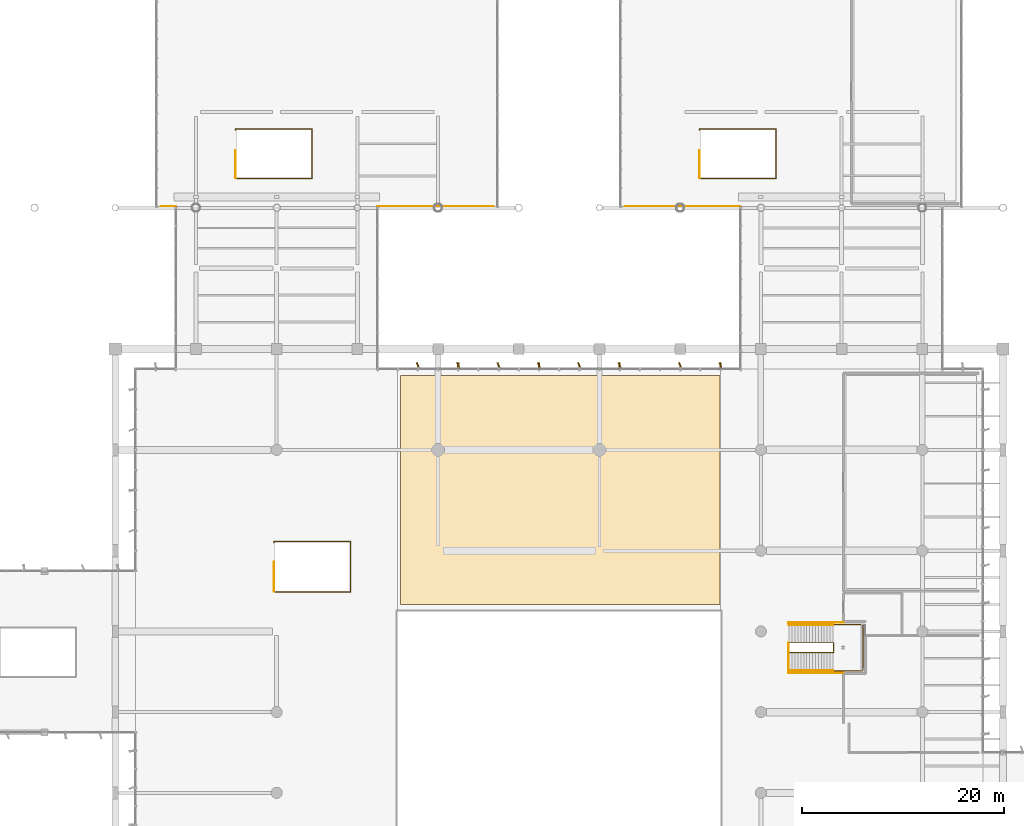
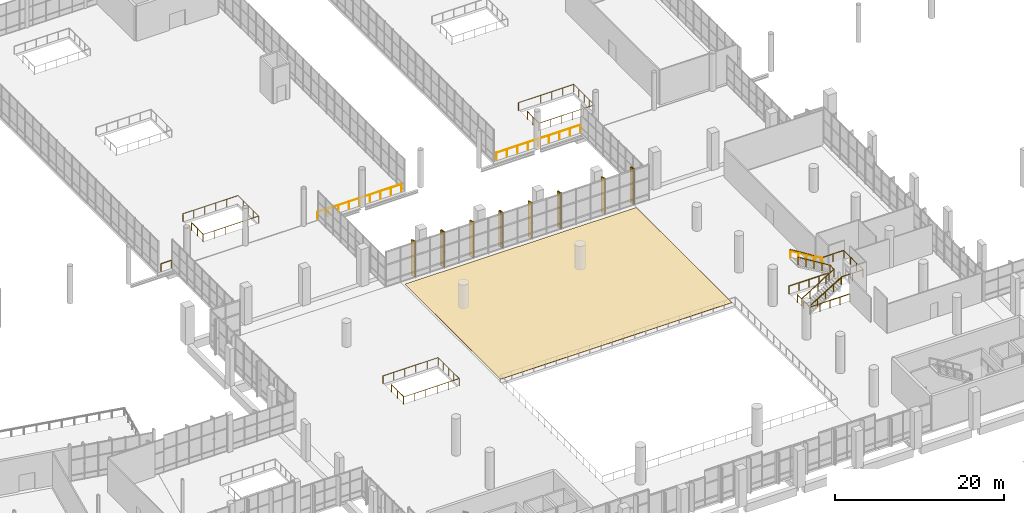
# One storey, part 165 of 176: 18 railings, 8 shading devices, 5 coverings, 1 element without a shape of its own.
"""IFC4 building model written with IfcOpenShell, lengths in metres."""

from ifc_helpers import new_model, si_unit, direction, frame, origin, origin_2d, place, context, subcontext, project, spatial, polyline, rectangle, outline, extrude, material, layer, layer_set, type_object, element, aggregate, save


model = new_model("IFC4")

# Units and contexts
model_context = context("Model", 3, precision=1e-05, world=origin(), true_north=direction((0.0, 1.0)))
body_context = subcontext(model_context, "Body", "Model", "MODEL_VIEW")
ifc_project = project(units=[si_unit("LENGTHUNIT", "METRE"), si_unit("AREAUNIT", "SQUARE_METRE"), si_unit("VOLUMEUNIT", "CUBIC_METRE"), si_unit("PLANEANGLEUNIT", "RADIAN"), si_unit("MASSUNIT", "GRAM", prefix="KILO")], contexts=[model_context])

# Site, building, storey
site_placement = place(None, origin())
site = spatial("IfcSite", under=ifc_project, at=site_placement, CompositionType="ELEMENT")
building_placement = place(site_placement, origin())
building = spatial("IfcBuilding", under=site, at=building_placement, Name="Khorjan Park Terminus", CompositionType="ELEMENT")
storey_placement = place(building_placement, frame((0.0, 0.0, 6.0)))
storey = spatial("IfcBuildingStorey", under=building, at=storey_placement, Name="L01", CompositionType="ELEMENT", Elevation=6.0)

# Coverings
ifc_material_1 = material(Name="Pigmented Precast GRC", Category="concrete")
ifc_layer_1 = layer(ifc_material_1, 0.16)
ifc_layer_set_1 = layer_set([ifc_layer_1], Name="Pigmented Precast GRC")
covering_type_1 = type_object("IfcCoveringType", Name="CV-FIN-GRC", PredefinedType="CLADDING", material=ifc_layer_set_1)
for number, where, z_axis, x_axis, name in (
    (1, (82.0, 86.355, -0.02), (0.0, 0.0, 1.0), (0.0, -1.0, 0.0), "Projecting desert-sandstone GRC facade fin CL-FN1 (CW-V2-N-L01-03-1)"),
    (2, (90.0, 86.355, -0.02), (0.0, 0.0, 1.0), (0.0, -1.0, 0.0), "Projecting desert-sandstone GRC facade fin CL-FN1 (CW-V2-N-L01-04-1)"),
    (3, (98.0, 86.355, -0.02), (0.0, 0.0, 1.0), (0.0, -1.0, 0.0), "Projecting desert-sandstone GRC facade fin CL-FN1 (CW-V2-N-L01-05-1)"),
    (4, (108.0, 86.355, -0.02), (0.0, 0.0, 1.0), (0.0, -1.0, 0.0), "Projecting desert-sandstone GRC facade fin CL-FN1 (CW-V2-N-L01-06-1)"),
):
    element("IfcCovering", number, at=place(storey_placement, frame(where, z_axis=z_axis, x_axis=x_axis)), inside=storey, type_object=covering_type_1, Name=name, PredefinedType="CLADDING", context=body_context, shape_type="SweptSolid", body=[
        extrude(rectangle(XDim=0.58, YDim=0.16, at=origin_2d()), origin(), (0.0, 0.0, 1.0), 5.19),
    ])
ifc_material_2 = material(Name="Polished Desert Limestone Terrazzo", Category="masonry")
ifc_layer_2 = layer(ifc_material_2, 0.035)
ifc_layer_set_2 = layer_set([ifc_layer_2], Name="Polished Desert Limestone Terrazzo")
covering_type_2 = type_object("IfcCoveringType", Name="CV-FLR-TRZ", PredefinedType="FLOORING", material=ifc_layer_set_2)
covering_placement = place(storey_placement, origin())
element("IfcCovering", 5, at=covering_placement, inside=storey, type_object=covering_type_2, Name="Architectural floor finish FF-TRZ (L01-MZ-N)", PredefinedType="FLOORING", context=body_context, shape_type="SweptSolid", body=[
    extrude(outline(polyline([(107.95, 85.35), (107.95, 62.65), (76.25, 62.65), (76.25, 85.35), (107.95, 85.35)])), origin(), (0.0, 0.0, 1.0), 0.035),
])

# Railings
ifc_material_3 = material(Name="Steel S355", Category="steel")
railing_type_1 = type_object("IfcRailingType", Name="GR-112", PredefinedType="GUARDRAIL", material=ifc_material_3)
for number, where, name in (
    (6, (59.92, 104.95, 0.0), "Stair PS-01 top-floor well departure guard GR-112"),
    (7, (105.92, 104.95, 0.0), "Stair PS-02 top-floor well departure guard GR-112"),
):
    element("IfcRailing", number, at=place(storey_placement, frame(where)), inside=storey, type_object=railing_type_1, Name=name, PredefinedType="GUARDRAIL", context=body_context, shape_type="SweptSolid", body=[
        extrude(rectangle(XDim=0.048, YDim=0.048, at=origin_2d()), frame((0.0, 0.0, 1.096), z_axis=(0.0, 1.0, 0.0), x_axis=(-1.0, 0.0, 0.0)), (0.0, 0.0, 1.0), 2.73),
        extrude(rectangle(XDim=0.042, YDim=0.042, at=origin_2d()), origin(), (0.0, 0.0, 1.0), 1.072),
        extrude(rectangle(XDim=0.042, YDim=0.042, at=origin_2d()), frame((0.0, 1.365, 0.0)), (0.0, 0.0, 1.0), 1.072),
        extrude(rectangle(XDim=0.042, YDim=0.042, at=origin_2d()), frame((0.0, 2.73, 0.0)), (0.0, 0.0, 1.0), 1.072),
    ])
for number, where, name in (
    (8, (63.72, 63.95, 0.0), "Stair CS-03 top-floor well departure guard GR-112"),
    (9, (114.72, 55.95, 0.0), "Stair CS-04 top-floor well departure guard GR-112"),
):
    element("IfcRailing", number, at=place(storey_placement, frame(where)), inside=storey, type_object=railing_type_1, Name=name, PredefinedType="GUARDRAIL", context=body_context, shape_type="SweptSolid", body=[
        extrude(rectangle(XDim=0.048, YDim=0.048, at=origin_2d()), frame((0.0, 0.0, 1.096), z_axis=(0.0, 1.0, 0.0), x_axis=(-1.0, 0.0, 0.0)), (0.0, 0.0, 1.0), 2.93),
        extrude(rectangle(XDim=0.042, YDim=0.042, at=origin_2d()), origin(), (0.0, 0.0, 1.0), 1.072),
        extrude(rectangle(XDim=0.042, YDim=0.042, at=origin_2d()), frame((0.0, 1.465, 0.0)), (0.0, 0.0, 1.0), 1.072),
        extrude(rectangle(XDim=0.042, YDim=0.042, at=origin_2d()), frame((0.0, 2.93, 0.0)), (0.0, 0.0, 1.0), 1.072),
    ])

# Stair, railings
ifc_material_4 = material(Name="Concrete C40/50", Category="concrete")
stair_type = type_object("IfcStairType", Name="STR-PUB-190", PredefinedType="HALF_TURN_STAIR", material=ifc_material_4)
stair_placement = place(storey_placement, origin())
stair = element("IfcStair", 10, at=stair_placement, inside=storey, type_object=stair_type, Name="Public passenger half-turn stair CS-05", PredefinedType="HALF_TURN_STAIR")
railing_1_placement = place(storey_placement, frame((114.8, 57.92, 0.0)))
railing_1 = element("IfcRailing", 11, at=railing_1_placement, type_object=railing_type_1, Name="Stair CS-05 inner well slot guard GR-112", PredefinedType="GUARDRAIL", context=body_context, shape_type="SweptSolid", body=[
    extrude(rectangle(XDim=0.048, YDim=0.048, at=origin_2d()), frame((0.0, 0.0, 1.096), z_axis=(0.851791528641, 0.0, 0.523880894608), x_axis=(0.0, 1.0, 0.0)), (0.0, 0.0, 1.0), 5.1538),
    extrude(rectangle(XDim=0.048, YDim=0.048, at=origin_2d()), frame((4.39, 0.0, 3.796), z_axis=(0.0, 1.0, 0.0), x_axis=(-1.0, 0.0, 0.0)), (0.0, 0.0, 1.0), 0.96),
    extrude(rectangle(XDim=0.048, YDim=0.048, at=origin_2d()), frame((4.39, 0.96, 3.796), z_axis=(-0.851791528641, 0.0, 0.523880894608), x_axis=(0.0, -1.0, 0.0)), (0.0, 0.0, 1.0), 5.1538),
    extrude(rectangle(XDim=0.042, YDim=0.042, at=origin_2d()), origin(), (0.0, 0.0, 1.0), 1.072),
    extrude(rectangle(XDim=0.042, YDim=0.042, at=origin_2d()), frame((1.0975, 0.0, 0.675)), (0.0, 0.0, 1.0), 1.072),
    extrude(rectangle(XDim=0.042, YDim=0.042, at=origin_2d()), frame((2.195, 0.0, 1.35)), (0.0, 0.0, 1.0), 1.072),
    extrude(rectangle(XDim=0.042, YDim=0.042, at=origin_2d()), frame((3.2925, 0.0, 2.025)), (0.0, 0.0, 1.0), 1.072),
    extrude(rectangle(XDim=0.042, YDim=0.042, at=origin_2d()), frame((4.39, 0.0, 2.7)), (0.0, 0.0, 1.0), 1.072),
    extrude(rectangle(XDim=0.042, YDim=0.042, at=origin_2d()), frame((4.39, 0.96, 2.7)), (0.0, 0.0, 1.0), 1.072),
    extrude(rectangle(XDim=0.042, YDim=0.042, at=origin_2d()), frame((3.2925, 0.96, 3.375)), (0.0, 0.0, 1.0), 1.072),
    extrude(rectangle(XDim=0.042, YDim=0.042, at=origin_2d()), frame((2.195, 0.96, 4.05)), (0.0, 0.0, 1.0), 1.072),
    extrude(rectangle(XDim=0.042, YDim=0.042, at=origin_2d()), frame((1.0975, 0.96, 4.725)), (0.0, 0.0, 1.0), 1.072),
    extrude(rectangle(XDim=0.042, YDim=0.042, at=origin_2d()), frame((0.0, 0.96, 5.4)), (0.0, 0.0, 1.0), 1.072),
])
railing_2_placement = place(storey_placement, frame((119.15, 56.1, 2.7)))
railing_2 = element("IfcRailing", 12, at=railing_2_placement, type_object=railing_type_1, Name="Stair CS-05 horizontal half-landing guard GR-112", PredefinedType="GUARDRAIL", context=body_context, shape_type="SweptSolid", body=[
    extrude(rectangle(XDim=0.048, YDim=0.048, at=origin_2d()), frame((0.0, 0.0, 1.096), z_axis=(1.0, 0.0, 0.0), x_axis=(0.0, 1.0, 0.0)), (0.0, 0.0, 1.0), 2.99),
    extrude(rectangle(XDim=0.048, YDim=0.048, at=origin_2d()), frame((2.99, 0.0, 1.096), z_axis=(0.0, 1.0, 0.0), x_axis=(-1.0, 0.0, 0.0)), (0.0, 0.0, 1.0), 4.6),
    extrude(rectangle(XDim=0.048, YDim=0.048, at=origin_2d()), frame((2.99, 4.6, 1.096), z_axis=(-1.0, 0.0, 0.0), x_axis=(0.0, -1.0, 0.0)), (0.0, 0.0, 1.0), 2.99),
    extrude(rectangle(XDim=0.042, YDim=0.042, at=origin_2d()), origin(), (0.0, 0.0, 1.0), 1.072),
    extrude(rectangle(XDim=0.042, YDim=0.042, at=origin_2d()), frame((1.495, 0.0, 0.0)), (0.0, 0.0, 1.0), 1.072),
    extrude(rectangle(XDim=0.042, YDim=0.042, at=origin_2d()), frame((2.99, 0.0, 0.0)), (0.0, 0.0, 1.0), 1.072),
    extrude(rectangle(XDim=0.042, YDim=0.042, at=origin_2d()), frame((2.99, 1.5333, 0.0)), (0.0, 0.0, 1.0), 1.072),
    extrude(rectangle(XDim=0.042, YDim=0.042, at=origin_2d()), frame((2.99, 3.0667, 0.0)), (0.0, 0.0, 1.0), 1.072),
    extrude(rectangle(XDim=0.042, YDim=0.042, at=origin_2d()), frame((2.99, 4.6, 0.0)), (0.0, 0.0, 1.0), 1.072),
    extrude(rectangle(XDim=0.042, YDim=0.042, at=origin_2d()), frame((1.495, 4.6, 0.0)), (0.0, 0.0, 1.0), 1.072),
    extrude(rectangle(XDim=0.042, YDim=0.042, at=origin_2d()), frame((0.0, 4.6, 0.0)), (0.0, 0.0, 1.0), 1.072),
])
railing_3_placement = place(storey_placement, frame((114.8, 56.1, 0.0)))
railing_3 = element("IfcRailing", 13, at=railing_3_placement, type_object=railing_type_1, Name="Stair CS-05 lower outer flight guard GR-112", PredefinedType="GUARDRAIL", context=body_context, shape_type="SweptSolid", body=[
    extrude(rectangle(XDim=0.048, YDim=0.048, at=origin_2d()), frame((0.0, 0.0, 1.096), z_axis=(0.849640166198, 0.0, 0.527362861778), x_axis=(0.0, 1.0, 0.0)), (0.0, 0.0, 1.0), 5.1198),
    extrude(rectangle(XDim=0.042, YDim=0.042, at=origin_2d()), origin(), (0.0, 0.0, 1.0), 1.072),
    extrude(rectangle(XDim=0.042, YDim=0.042, at=origin_2d()), frame((1.0875, 0.0, 0.675)), (0.0, 0.0, 1.0), 1.072),
    extrude(rectangle(XDim=0.042, YDim=0.042, at=origin_2d()), frame((2.175, 0.0, 1.35)), (0.0, 0.0, 1.0), 1.072),
    extrude(rectangle(XDim=0.042, YDim=0.042, at=origin_2d()), frame((3.2625, 0.0, 2.025)), (0.0, 0.0, 1.0), 1.072),
    extrude(rectangle(XDim=0.042, YDim=0.042, at=origin_2d()), frame((4.35, 0.0, 2.7)), (0.0, 0.0, 1.0), 1.072),
])
railing_4_placement = place(storey_placement, frame((119.15, 60.7, 2.7)))
railing_4 = element("IfcRailing", 14, at=railing_4_placement, type_object=railing_type_1, Name="Stair CS-05 upper outer flight guard GR-112", PredefinedType="GUARDRAIL", context=body_context, shape_type="SweptSolid", body=[
    extrude(rectangle(XDim=0.048, YDim=0.048, at=origin_2d()), frame((0.0, 0.0, 1.096), z_axis=(-0.849640166198, 0.0, 0.527362861778), x_axis=(0.0, -1.0, 0.0)), (0.0, 0.0, 1.0), 5.1198),
    extrude(rectangle(XDim=0.042, YDim=0.042, at=origin_2d()), origin(), (0.0, 0.0, 1.0), 1.072),
    extrude(rectangle(XDim=0.042, YDim=0.042, at=origin_2d()), frame((-1.0875, 0.0, 0.675)), (0.0, 0.0, 1.0), 1.072),
    extrude(rectangle(XDim=0.042, YDim=0.042, at=origin_2d()), frame((-2.175, 0.0, 1.35)), (0.0, 0.0, 1.0), 1.072),
    extrude(rectangle(XDim=0.042, YDim=0.042, at=origin_2d()), frame((-3.2625, 0.0, 2.025)), (0.0, 0.0, 1.0), 1.072),
    extrude(rectangle(XDim=0.042, YDim=0.042, at=origin_2d()), frame((-4.35, 0.0, 2.7)), (0.0, 0.0, 1.0), 1.072),
])

# Railings
railing_5_placement = place(storey_placement, frame((120.2, 60.9, 0.0)))
element("IfcRailing", 15, at=railing_5_placement, inside=storey, type_object=railing_type_1, Name="Perimeter safety guard GR-112 (L01-42)", PredefinedType="GUARDRAIL", context=body_context, shape_type="SweptSolid", body=[
    extrude(rectangle(XDim=0.048, YDim=0.048, at=origin_2d()), frame((0.0, 0.0, 1.096), z_axis=(-1.0, 0.0, 0.0), x_axis=(0.0, -1.0, 0.0)), (0.0, 0.0, 1.0), 5.485),
    extrude(rectangle(XDim=0.048, YDim=0.048, at=origin_2d()), frame((-5.485, 0.0, 1.096), z_axis=(0.0, -1.0, 0.0), x_axis=(1.0, 0.0, 0.0)), (0.0, 0.0, 1.0), 0.1),
    extrude(rectangle(XDim=0.042, YDim=0.042, at=origin_2d()), origin(), (0.0, 0.0, 1.0), 1.072),
    extrude(rectangle(XDim=0.042, YDim=0.042, at=origin_2d()), frame((-1.3712, 0.0, 0.0)), (0.0, 0.0, 1.0), 1.072),
    extrude(rectangle(XDim=0.042, YDim=0.042, at=origin_2d()), frame((-2.7425, 0.0, 0.0)), (0.0, 0.0, 1.0), 1.072),
    extrude(rectangle(XDim=0.042, YDim=0.042, at=origin_2d()), frame((-4.1137, 0.0, 0.0)), (0.0, 0.0, 1.0), 1.072),
    extrude(rectangle(XDim=0.042, YDim=0.042, at=origin_2d()), frame((-5.485, 0.0, 0.0)), (0.0, 0.0, 1.0), 1.072),
    extrude(rectangle(XDim=0.042, YDim=0.042, at=origin_2d()), frame((-5.485, -0.1, 0.0)), (0.0, 0.0, 1.0), 1.072),
])
railing_6_placement = place(storey_placement, frame((54.0, 102.15, 0.0)))
element("IfcRailing", 16, at=railing_6_placement, inside=storey, type_object=railing_type_1, Name="Perimeter safety guard GR-112 (L01-52)", PredefinedType="GUARDRAIL", context=body_context, shape_type="SweptSolid", body=[
    extrude(rectangle(XDim=0.048, YDim=0.048, at=origin_2d()), frame((0.0, 0.0, 1.096), z_axis=(-1.0, 0.0, 0.0), x_axis=(0.0, -1.0, 0.0)), (0.0, 0.0, 1.0), 1.49),
    extrude(rectangle(XDim=0.042, YDim=0.042, at=origin_2d()), origin(), (0.0, 0.0, 1.0), 1.072),
    extrude(rectangle(XDim=0.042, YDim=0.042, at=origin_2d()), frame((-1.49, 0.0, 0.0)), (0.0, 0.0, 1.0), 1.072),
])
railing_type_2 = type_object("IfcRailingType", Name="GR-EXT", PredefinedType="GUARDRAIL", material=ifc_material_3)
railing_7_placement = place(storey_placement, frame((114.715, 58.84, 0.0)))
element("IfcRailing", 17, at=railing_7_placement, inside=storey, type_object=railing_type_2, Name="Perimeter safety guard GR-EXT (L01-41)", PredefinedType="GUARDRAIL", context=body_context, shape_type="SweptSolid", body=[
    extrude(rectangle(XDim=0.048, YDim=0.048, at=origin_2d()), frame((0.0, 0.0, 1.096), z_axis=(0.0, -1.0, 0.0), x_axis=(1.0, 0.0, 0.0)), (0.0, 0.0, 1.0), 2.94),
    extrude(rectangle(XDim=0.048, YDim=0.048, at=origin_2d()), frame((0.0, -2.94, 1.096), z_axis=(1.0, 0.0, 0.0), x_axis=(0.0, 1.0, 0.0)), (0.0, 0.0, 1.0), 5.485),
    extrude(rectangle(XDim=0.042, YDim=0.042, at=origin_2d()), origin(), (0.0, 0.0, 1.0), 1.072),
    extrude(rectangle(XDim=0.042, YDim=0.042, at=origin_2d()), frame((0.0, -1.47, 0.0)), (0.0, 0.0, 1.0), 1.072),
    extrude(rectangle(XDim=0.042, YDim=0.042, at=origin_2d()), frame((0.0, -2.94, 0.0)), (0.0, 0.0, 1.0), 1.072),
    extrude(rectangle(XDim=0.042, YDim=0.042, at=origin_2d()), frame((1.3712, -2.94, 0.0)), (0.0, 0.0, 1.0), 1.072),
    extrude(rectangle(XDim=0.042, YDim=0.042, at=origin_2d()), frame((2.7425, -2.94, 0.0)), (0.0, 0.0, 1.0), 1.072),
    extrude(rectangle(XDim=0.042, YDim=0.042, at=origin_2d()), frame((4.1137, -2.94, 0.0)), (0.0, 0.0, 1.0), 1.072),
    extrude(rectangle(XDim=0.042, YDim=0.042, at=origin_2d()), frame((5.485, -2.94, 0.0)), (0.0, 0.0, 1.0), 1.072),
])
railing_8_placement = place(storey_placement, frame((63.715, 66.84, 0.0)))
element("IfcRailing", 18, at=railing_8_placement, inside=storey, type_object=railing_type_2, Name="Perimeter safety guard GR-EXT (L01-45)", PredefinedType="GUARDRAIL", context=body_context, shape_type="SweptSolid", body=[
    extrude(rectangle(XDim=0.048, YDim=0.048, at=origin_2d()), frame((0.0, 0.0, 1.096), z_axis=(0.0, -1.0, 0.0), x_axis=(1.0, 0.0, 0.0)), (0.0, 0.0, 1.0), 2.94),
    extrude(rectangle(XDim=0.048, YDim=0.048, at=origin_2d()), frame((0.0, -2.94, 1.096), z_axis=(1.0, 0.0, 0.0), x_axis=(0.0, 1.0, 0.0)), (0.0, 0.0, 1.0), 7.585),
    extrude(rectangle(XDim=0.048, YDim=0.048, at=origin_2d()), frame((7.585, -2.94, 1.096), z_axis=(0.0, 1.0, 0.0), x_axis=(-1.0, 0.0, 0.0)), (0.0, 0.0, 1.0), 5.0),
    extrude(rectangle(XDim=0.048, YDim=0.048, at=origin_2d()), frame((7.585, 2.06, 1.096), z_axis=(-1.0, 0.0, 0.0), x_axis=(0.0, -1.0, 0.0)), (0.0, 0.0, 1.0), 7.585),
    extrude(rectangle(XDim=0.048, YDim=0.048, at=origin_2d()), frame((0.0, 2.06, 1.096), z_axis=(0.0, -1.0, 0.0), x_axis=(1.0, 0.0, 0.0)), (0.0, 0.0, 1.0), 0.1),
    extrude(rectangle(XDim=0.042, YDim=0.042, at=origin_2d()), origin(), (0.0, 0.0, 1.0), 1.072),
    extrude(rectangle(XDim=0.042, YDim=0.042, at=origin_2d()), frame((0.0, -1.47, 0.0)), (0.0, 0.0, 1.0), 1.072),
    extrude(rectangle(XDim=0.042, YDim=0.042, at=origin_2d()), frame((0.0, -2.94, 0.0)), (0.0, 0.0, 1.0), 1.072),
    extrude(rectangle(XDim=0.042, YDim=0.042, at=origin_2d()), frame((1.517, -2.94, 0.0)), (0.0, 0.0, 1.0), 1.072),
    extrude(rectangle(XDim=0.042, YDim=0.042, at=origin_2d()), frame((3.034, -2.94, 0.0)), (0.0, 0.0, 1.0), 1.072),
    extrude(rectangle(XDim=0.042, YDim=0.042, at=origin_2d()), frame((4.551, -2.94, 0.0)), (0.0, 0.0, 1.0), 1.072),
    extrude(rectangle(XDim=0.042, YDim=0.042, at=origin_2d()), frame((6.068, -2.94, 0.0)), (0.0, 0.0, 1.0), 1.072),
    extrude(rectangle(XDim=0.042, YDim=0.042, at=origin_2d()), frame((7.585, -2.94, 0.0)), (0.0, 0.0, 1.0), 1.072),
    extrude(rectangle(XDim=0.042, YDim=0.042, at=origin_2d()), frame((7.585, -1.69, 0.0)), (0.0, 0.0, 1.0), 1.072),
    extrude(rectangle(XDim=0.042, YDim=0.042, at=origin_2d()), frame((7.585, -0.44, 0.0)), (0.0, 0.0, 1.0), 1.072),
    extrude(rectangle(XDim=0.042, YDim=0.042, at=origin_2d()), frame((7.585, 0.81, 0.0)), (0.0, 0.0, 1.0), 1.072),
    extrude(rectangle(XDim=0.042, YDim=0.042, at=origin_2d()), frame((7.585, 2.06, 0.0)), (0.0, 0.0, 1.0), 1.072),
    extrude(rectangle(XDim=0.042, YDim=0.042, at=origin_2d()), frame((6.068, 2.06, 0.0)), (0.0, 0.0, 1.0), 1.072),
    extrude(rectangle(XDim=0.042, YDim=0.042, at=origin_2d()), frame((4.551, 2.06, 0.0)), (0.0, 0.0, 1.0), 1.072),
    extrude(rectangle(XDim=0.042, YDim=0.042, at=origin_2d()), frame((3.034, 2.06, 0.0)), (0.0, 0.0, 1.0), 1.072),
    extrude(rectangle(XDim=0.042, YDim=0.042, at=origin_2d()), frame((1.517, 2.06, 0.0)), (0.0, 0.0, 1.0), 1.072),
    extrude(rectangle(XDim=0.042, YDim=0.042, at=origin_2d()), frame((0.0, 2.06, 0.0)), (0.0, 0.0, 1.0), 1.072),
    extrude(rectangle(XDim=0.042, YDim=0.042, at=origin_2d()), frame((0.0, 1.96, 0.0)), (0.0, 0.0, 1.0), 1.072),
])
railing_9_placement = place(storey_placement, frame((110.0, 102.15, 0.0)))
element("IfcRailing", 19, at=railing_9_placement, inside=storey, type_object=railing_type_2, Name="Perimeter safety guard GR-EXT (L01-47)", PredefinedType="GUARDRAIL", context=body_context, shape_type="SweptSolid", body=[
    extrude(rectangle(XDim=0.048, YDim=0.048, at=origin_2d()), frame((0.0, 0.0, 1.096), z_axis=(-1.0, 0.0, 0.0), x_axis=(0.0, -1.0, 0.0)), (0.0, 0.0, 1.0), 11.49),
    extrude(rectangle(XDim=0.042, YDim=0.042, at=origin_2d()), origin(), (0.0, 0.0, 1.0), 1.072),
    extrude(rectangle(XDim=0.042, YDim=0.042, at=origin_2d()), frame((-1.4362, 0.0, 0.0)), (0.0, 0.0, 1.0), 1.072),
    extrude(rectangle(XDim=0.042, YDim=0.042, at=origin_2d()), frame((-2.8725, 0.0, 0.0)), (0.0, 0.0, 1.0), 1.072),
    extrude(rectangle(XDim=0.042, YDim=0.042, at=origin_2d()), frame((-4.3087, 0.0, 0.0)), (0.0, 0.0, 1.0), 1.072),
    extrude(rectangle(XDim=0.042, YDim=0.042, at=origin_2d()), frame((-5.745, 0.0, 0.0)), (0.0, 0.0, 1.0), 1.072),
    extrude(rectangle(XDim=0.042, YDim=0.042, at=origin_2d()), frame((-7.1812, 0.0, 0.0)), (0.0, 0.0, 1.0), 1.072),
    extrude(rectangle(XDim=0.042, YDim=0.042, at=origin_2d()), frame((-8.6175, 0.0, 0.0)), (0.0, 0.0, 1.0), 1.072),
    extrude(rectangle(XDim=0.042, YDim=0.042, at=origin_2d()), frame((-10.0537, 0.0, 0.0)), (0.0, 0.0, 1.0), 1.072),
    extrude(rectangle(XDim=0.042, YDim=0.042, at=origin_2d()), frame((-11.49, 0.0, 0.0)), (0.0, 0.0, 1.0), 1.072),
])
railing_10_placement = place(storey_placement, frame((105.915, 107.64, 0.0)))
element("IfcRailing", 20, at=railing_10_placement, inside=storey, type_object=railing_type_2, Name="Perimeter safety guard GR-EXT (L01-51)", PredefinedType="GUARDRAIL", context=body_context, shape_type="SweptSolid", body=[
    extrude(rectangle(XDim=0.048, YDim=0.048, at=origin_2d()), frame((0.0, 0.0, 1.096), z_axis=(0.0, -1.0, 0.0), x_axis=(1.0, 0.0, 0.0)), (0.0, 0.0, 1.0), 2.74),
    extrude(rectangle(XDim=0.048, YDim=0.048, at=origin_2d()), frame((0.0, -2.74, 1.096), z_axis=(1.0, 0.0, 0.0), x_axis=(0.0, 1.0, 0.0)), (0.0, 0.0, 1.0), 7.585),
    extrude(rectangle(XDim=0.048, YDim=0.048, at=origin_2d()), frame((7.585, -2.74, 1.096), z_axis=(0.0, 1.0, 0.0), x_axis=(-1.0, 0.0, 0.0)), (0.0, 0.0, 1.0), 4.9),
    extrude(rectangle(XDim=0.048, YDim=0.048, at=origin_2d()), frame((7.585, 2.16, 1.096), z_axis=(-1.0, 0.0, 0.0), x_axis=(0.0, -1.0, 0.0)), (0.0, 0.0, 1.0), 7.585),
    extrude(rectangle(XDim=0.048, YDim=0.048, at=origin_2d()), frame((0.0, 2.16, 1.096), z_axis=(0.0, -1.0, 0.0), x_axis=(1.0, 0.0, 0.0)), (0.0, 0.0, 1.0), 0.1),
    extrude(rectangle(XDim=0.042, YDim=0.042, at=origin_2d()), origin(), (0.0, 0.0, 1.0), 1.072),
    extrude(rectangle(XDim=0.042, YDim=0.042, at=origin_2d()), frame((0.0, -1.37, 0.0)), (0.0, 0.0, 1.0), 1.072),
    extrude(rectangle(XDim=0.042, YDim=0.042, at=origin_2d()), frame((0.0, -2.74, 0.0)), (0.0, 0.0, 1.0), 1.072),
    extrude(rectangle(XDim=0.042, YDim=0.042, at=origin_2d()), frame((1.517, -2.74, 0.0)), (0.0, 0.0, 1.0), 1.072),
    extrude(rectangle(XDim=0.042, YDim=0.042, at=origin_2d()), frame((3.034, -2.74, 0.0)), (0.0, 0.0, 1.0), 1.072),
    extrude(rectangle(XDim=0.042, YDim=0.042, at=origin_2d()), frame((4.551, -2.74, 0.0)), (0.0, 0.0, 1.0), 1.072),
    extrude(rectangle(XDim=0.042, YDim=0.042, at=origin_2d()), frame((6.068, -2.74, 0.0)), (0.0, 0.0, 1.0), 1.072),
    extrude(rectangle(XDim=0.042, YDim=0.042, at=origin_2d()), frame((7.585, -2.74, 0.0)), (0.0, 0.0, 1.0), 1.072),
    extrude(rectangle(XDim=0.042, YDim=0.042, at=origin_2d()), frame((7.585, -1.515, 0.0)), (0.0, 0.0, 1.0), 1.072),
    extrude(rectangle(XDim=0.042, YDim=0.042, at=origin_2d()), frame((7.585, -0.29, 0.0)), (0.0, 0.0, 1.0), 1.072),
    extrude(rectangle(XDim=0.042, YDim=0.042, at=origin_2d()), frame((7.585, 0.935, 0.0)), (0.0, 0.0, 1.0), 1.072),
    extrude(rectangle(XDim=0.042, YDim=0.042, at=origin_2d()), frame((7.585, 2.16, 0.0)), (0.0, 0.0, 1.0), 1.072),
    extrude(rectangle(XDim=0.042, YDim=0.042, at=origin_2d()), frame((6.068, 2.16, 0.0)), (0.0, 0.0, 1.0), 1.072),
    extrude(rectangle(XDim=0.042, YDim=0.042, at=origin_2d()), frame((4.551, 2.16, 0.0)), (0.0, 0.0, 1.0), 1.072),
    extrude(rectangle(XDim=0.042, YDim=0.042, at=origin_2d()), frame((3.034, 2.16, 0.0)), (0.0, 0.0, 1.0), 1.072),
    extrude(rectangle(XDim=0.042, YDim=0.042, at=origin_2d()), frame((1.517, 2.16, 0.0)), (0.0, 0.0, 1.0), 1.072),
    extrude(rectangle(XDim=0.042, YDim=0.042, at=origin_2d()), frame((0.0, 2.16, 0.0)), (0.0, 0.0, 1.0), 1.072),
    extrude(rectangle(XDim=0.042, YDim=0.042, at=origin_2d()), frame((0.0, 2.06, 0.0)), (0.0, 0.0, 1.0), 1.072),
])
railing_11_placement = place(storey_placement, frame((85.49, 102.15, 0.0)))
element("IfcRailing", 21, at=railing_11_placement, inside=storey, type_object=railing_type_2, Name="Perimeter safety guard GR-EXT (L01-53)", PredefinedType="GUARDRAIL", context=body_context, shape_type="SweptSolid", body=[
    extrude(rectangle(XDim=0.048, YDim=0.048, at=origin_2d()), frame((0.0, 0.0, 1.096), z_axis=(-1.0, 0.0, 0.0), x_axis=(0.0, -1.0, 0.0)), (0.0, 0.0, 1.0), 11.49),
    extrude(rectangle(XDim=0.042, YDim=0.042, at=origin_2d()), origin(), (0.0, 0.0, 1.0), 1.072),
    extrude(rectangle(XDim=0.042, YDim=0.042, at=origin_2d()), frame((-1.4362, 0.0, 0.0)), (0.0, 0.0, 1.0), 1.072),
    extrude(rectangle(XDim=0.042, YDim=0.042, at=origin_2d()), frame((-2.8725, 0.0, 0.0)), (0.0, 0.0, 1.0), 1.072),
    extrude(rectangle(XDim=0.042, YDim=0.042, at=origin_2d()), frame((-4.3087, 0.0, 0.0)), (0.0, 0.0, 1.0), 1.072),
    extrude(rectangle(XDim=0.042, YDim=0.042, at=origin_2d()), frame((-5.745, 0.0, 0.0)), (0.0, 0.0, 1.0), 1.072),
    extrude(rectangle(XDim=0.042, YDim=0.042, at=origin_2d()), frame((-7.1812, 0.0, 0.0)), (0.0, 0.0, 1.0), 1.072),
    extrude(rectangle(XDim=0.042, YDim=0.042, at=origin_2d()), frame((-8.6175, 0.0, 0.0)), (0.0, 0.0, 1.0), 1.072),
    extrude(rectangle(XDim=0.042, YDim=0.042, at=origin_2d()), frame((-10.0537, 0.0, 0.0)), (0.0, 0.0, 1.0), 1.072),
    extrude(rectangle(XDim=0.042, YDim=0.042, at=origin_2d()), frame((-11.49, 0.0, 0.0)), (0.0, 0.0, 1.0), 1.072),
])
railing_12_placement = place(storey_placement, frame((59.915, 107.64, 0.0)))
element("IfcRailing", 22, at=railing_12_placement, inside=storey, type_object=railing_type_2, Name="Perimeter safety guard GR-EXT (L01-57)", PredefinedType="GUARDRAIL", context=body_context, shape_type="SweptSolid", body=[
    extrude(rectangle(XDim=0.048, YDim=0.048, at=origin_2d()), frame((0.0, 0.0, 1.096), z_axis=(0.0, -1.0, 0.0), x_axis=(1.0, 0.0, 0.0)), (0.0, 0.0, 1.0), 2.74),
    extrude(rectangle(XDim=0.048, YDim=0.048, at=origin_2d()), frame((0.0, -2.74, 1.096), z_axis=(1.0, 0.0, 0.0), x_axis=(0.0, 1.0, 0.0)), (0.0, 0.0, 1.0), 7.585),
    extrude(rectangle(XDim=0.048, YDim=0.048, at=origin_2d()), frame((7.585, -2.74, 1.096), z_axis=(0.0, 1.0, 0.0), x_axis=(-1.0, 0.0, 0.0)), (0.0, 0.0, 1.0), 4.9),
    extrude(rectangle(XDim=0.048, YDim=0.048, at=origin_2d()), frame((7.585, 2.16, 1.096), z_axis=(-1.0, 0.0, 0.0), x_axis=(0.0, -1.0, 0.0)), (0.0, 0.0, 1.0), 7.585),
    extrude(rectangle(XDim=0.048, YDim=0.048, at=origin_2d()), frame((0.0, 2.16, 1.096), z_axis=(0.0, -1.0, 0.0), x_axis=(1.0, 0.0, 0.0)), (0.0, 0.0, 1.0), 0.1),
    extrude(rectangle(XDim=0.042, YDim=0.042, at=origin_2d()), origin(), (0.0, 0.0, 1.0), 1.072),
    extrude(rectangle(XDim=0.042, YDim=0.042, at=origin_2d()), frame((0.0, -1.37, 0.0)), (0.0, 0.0, 1.0), 1.072),
    extrude(rectangle(XDim=0.042, YDim=0.042, at=origin_2d()), frame((0.0, -2.74, 0.0)), (0.0, 0.0, 1.0), 1.072),
    extrude(rectangle(XDim=0.042, YDim=0.042, at=origin_2d()), frame((1.517, -2.74, 0.0)), (0.0, 0.0, 1.0), 1.072),
    extrude(rectangle(XDim=0.042, YDim=0.042, at=origin_2d()), frame((3.034, -2.74, 0.0)), (0.0, 0.0, 1.0), 1.072),
    extrude(rectangle(XDim=0.042, YDim=0.042, at=origin_2d()), frame((4.551, -2.74, 0.0)), (0.0, 0.0, 1.0), 1.072),
    extrude(rectangle(XDim=0.042, YDim=0.042, at=origin_2d()), frame((6.068, -2.74, 0.0)), (0.0, 0.0, 1.0), 1.072),
    extrude(rectangle(XDim=0.042, YDim=0.042, at=origin_2d()), frame((7.585, -2.74, 0.0)), (0.0, 0.0, 1.0), 1.072),
    extrude(rectangle(XDim=0.042, YDim=0.042, at=origin_2d()), frame((7.585, -1.515, 0.0)), (0.0, 0.0, 1.0), 1.072),
    extrude(rectangle(XDim=0.042, YDim=0.042, at=origin_2d()), frame((7.585, -0.29, 0.0)), (0.0, 0.0, 1.0), 1.072),
    extrude(rectangle(XDim=0.042, YDim=0.042, at=origin_2d()), frame((7.585, 0.935, 0.0)), (0.0, 0.0, 1.0), 1.072),
    extrude(rectangle(XDim=0.042, YDim=0.042, at=origin_2d()), frame((7.585, 2.16, 0.0)), (0.0, 0.0, 1.0), 1.072),
    extrude(rectangle(XDim=0.042, YDim=0.042, at=origin_2d()), frame((6.068, 2.16, 0.0)), (0.0, 0.0, 1.0), 1.072),
    extrude(rectangle(XDim=0.042, YDim=0.042, at=origin_2d()), frame((4.551, 2.16, 0.0)), (0.0, 0.0, 1.0), 1.072),
    extrude(rectangle(XDim=0.042, YDim=0.042, at=origin_2d()), frame((3.034, 2.16, 0.0)), (0.0, 0.0, 1.0), 1.072),
    extrude(rectangle(XDim=0.042, YDim=0.042, at=origin_2d()), frame((1.517, 2.16, 0.0)), (0.0, 0.0, 1.0), 1.072),
    extrude(rectangle(XDim=0.042, YDim=0.042, at=origin_2d()), frame((0.0, 2.16, 0.0)), (0.0, 0.0, 1.0), 1.072),
    extrude(rectangle(XDim=0.042, YDim=0.042, at=origin_2d()), frame((0.0, 2.06, 0.0)), (0.0, 0.0, 1.0), 1.072),
])

# Railing
railing_type_3 = type_object("IfcRailingType", Name="HR-92", PredefinedType="HANDRAIL", material=ifc_material_3)
railing_13_placement = place(storey_placement, frame((114.8, 56.14, 0.1688)))
railing_13 = element("IfcRailing", 23, at=railing_13_placement, type_object=railing_type_3, Name="Stair CS-05 lower handrail HR-92", PredefinedType="HANDRAIL", context=body_context, shape_type="SweptSolid", body=[
    extrude(rectangle(XDim=0.048, YDim=0.048, at=origin_2d()), frame((0.0, 0.0, 0.896), z_axis=(0.864323211455, 0.0, 0.502936761571), x_axis=(0.0, 1.0, 0.0)), (0.0, 0.0, 1.0), 5.0328),
    extrude(rectangle(XDim=0.042, YDim=0.042, at=origin_2d()), origin(), (0.0, 0.0, 1.0), 0.872),
    extrude(rectangle(XDim=0.042, YDim=0.042, at=origin_2d()), frame((1.0875, 0.0, 0.6328)), (0.0, 0.0, 1.0), 0.872),
    extrude(rectangle(XDim=0.042, YDim=0.042, at=origin_2d()), frame((2.175, 0.0, 1.2656)), (0.0, 0.0, 1.0), 0.872),
    extrude(rectangle(XDim=0.042, YDim=0.042, at=origin_2d()), frame((3.2625, 0.0, 1.8984)), (0.0, 0.0, 1.0), 0.872),
    extrude(rectangle(XDim=0.042, YDim=0.042, at=origin_2d()), frame((4.35, 0.0, 2.5312)), (0.0, 0.0, 1.0), 0.872),
])

railing_14_placement = place(storey_placement, frame((119.15, 60.66, 2.8687)))
railing_14 = element("IfcRailing", 24, at=railing_14_placement, type_object=railing_type_3, Name="Stair CS-05 upper handrail HR-92", PredefinedType="HANDRAIL", context=body_context, shape_type="SweptSolid", body=[
    extrude(rectangle(XDim=0.048, YDim=0.048, at=origin_2d()), frame((0.0, 0.0, 0.896), z_axis=(-0.864314574144, 0.0, 0.50295160495), x_axis=(0.0, -1.0, 0.0)), (0.0, 0.0, 1.0), 5.0329),
    extrude(rectangle(XDim=0.042, YDim=0.042, at=origin_2d()), origin(), (0.0, 0.0, 1.0), 0.872),
    extrude(rectangle(XDim=0.042, YDim=0.042, at=origin_2d()), frame((-1.0875, 0.0, 0.6328)), (0.0, 0.0, 1.0), 0.872),
    extrude(rectangle(XDim=0.042, YDim=0.042, at=origin_2d()), frame((-2.175, 0.0, 1.2656)), (0.0, 0.0, 1.0), 0.872),
    extrude(rectangle(XDim=0.042, YDim=0.042, at=origin_2d()), frame((-3.2625, 0.0, 1.8985)), (0.0, 0.0, 1.0), 0.872),
    extrude(rectangle(XDim=0.042, YDim=0.042, at=origin_2d()), frame((-4.35, 0.0, 2.5313)), (0.0, 0.0, 1.0), 0.872),
])

aggregate(stair, [railing_13, railing_14, railing_1, railing_2, railing_3, railing_4])

# Shading devices
ifc_material_5 = material(Name="Anodized Bronze Aluminium", Category="aluminium")
shading_device_type = type_object("IfcShadingDeviceType", Name="SD-FIN-620", PredefinedType="JALOUSIE", material=ifc_material_5)
for number, where, z_axis, x_axis, name in (
    (25, (82.0, 86.355, -0.02), (0.0, 0.0, 1.0), (0.374606593416, -0.927183854567, 0.0), "Angled solar brise-soleil fin SF-62 (CW-V2-N-L01-03-1)"),
    (26, (78.0, 86.355, -0.02), (0.0, 0.0, 1.0), (0.374606593416, -0.927183854567, 0.0), "Angled solar brise-soleil fin SF-62 (CW-V2-N-L01-03-3)"),
    (27, (90.0, 86.355, -0.02), (0.0, 0.0, 1.0), (0.374606593416, -0.927183854567, 0.0), "Angled solar brise-soleil fin SF-62 (CW-V2-N-L01-04-1)"),
    (28, (86.0, 86.355, -0.02), (0.0, 0.0, 1.0), (0.374606593416, -0.927183854567, 0.0), "Angled solar brise-soleil fin SF-62 (CW-V2-N-L01-04-3)"),
    (29, (98.0, 86.355, -0.02), (0.0, 0.0, 1.0), (0.374606593416, -0.927183854567, 0.0), "Angled solar brise-soleil fin SF-62 (CW-V2-N-L01-05-1)"),
    (30, (94.0, 86.355, -0.02), (0.0, 0.0, 1.0), (0.374606593416, -0.927183854567, 0.0), "Angled solar brise-soleil fin SF-62 (CW-V2-N-L01-05-3)"),
    (31, (108.0, 86.355, -0.02), (0.0, 0.0, 1.0), (0.374606593416, -0.927183854567, 0.0), "Angled solar brise-soleil fin SF-62 (CW-V2-N-L01-06-1)"),
    (32, (104.0, 86.355, -0.02), (0.0, 0.0, 1.0), (0.374606593416, -0.927183854567, 0.0), "Angled solar brise-soleil fin SF-62 (CW-V2-N-L01-06-3)"),
):
    element("IfcShadingDevice", number, at=place(storey_placement, frame(where, z_axis=z_axis, x_axis=x_axis)), inside=storey, type_object=shading_device_type, Name=name, PredefinedType="JALOUSIE", context=body_context, shape_type="SweptSolid", body=[
        extrude(rectangle(XDim=0.62, YDim=0.14, at=origin_2d()), origin(), (0.0, 0.0, 1.0), 5.19),
    ])

save(model, "model.ifc")
